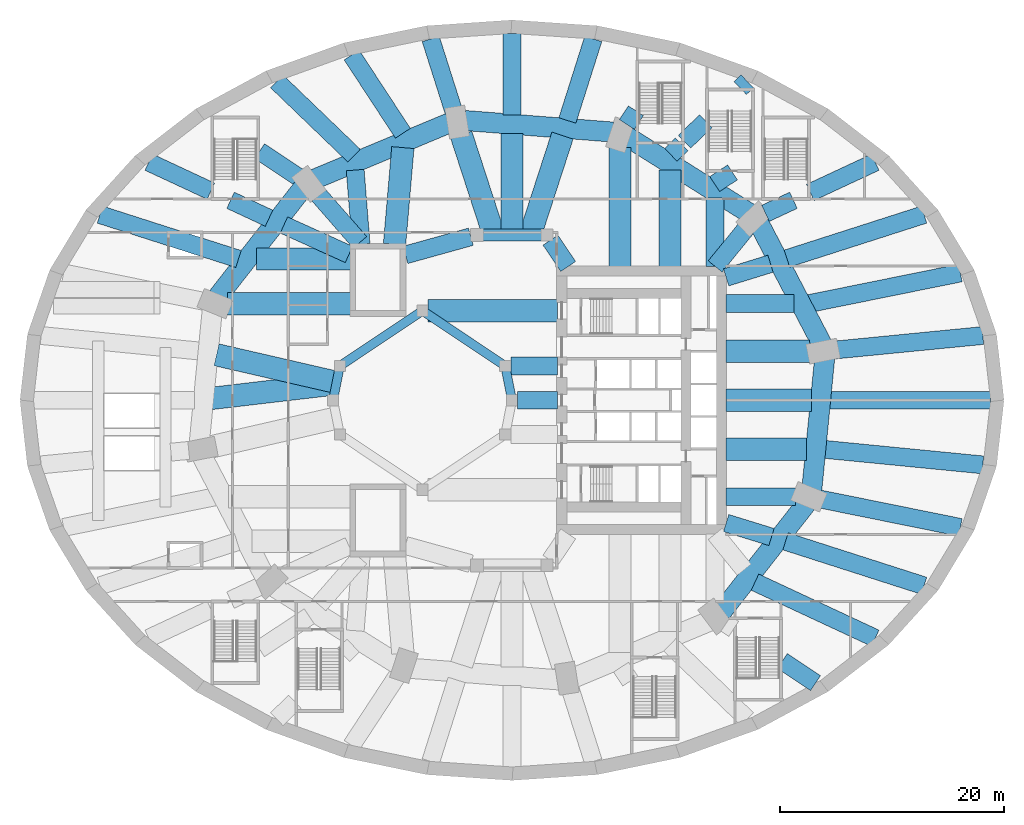
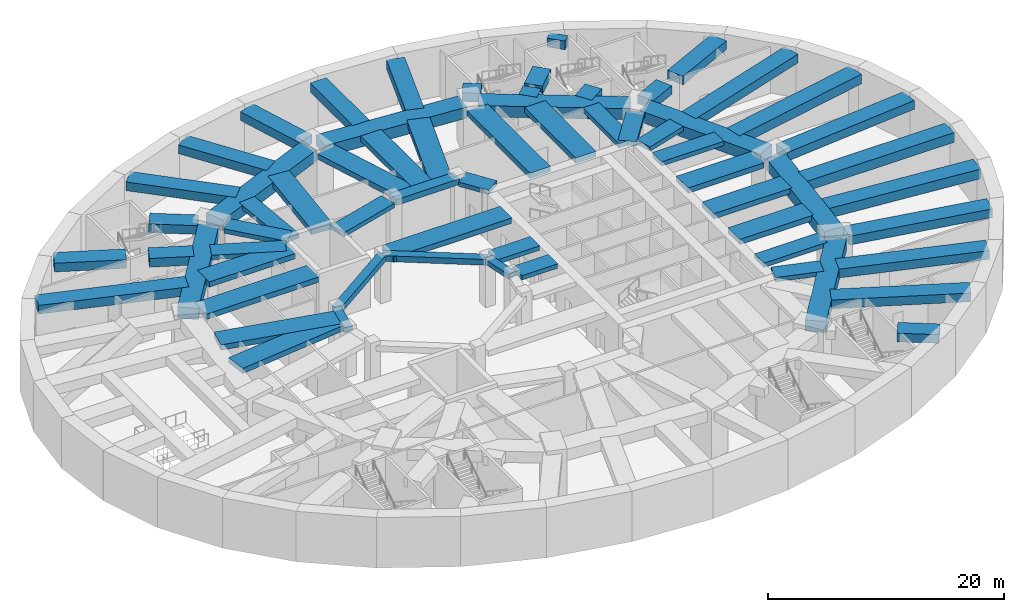
# One storey, part 2 of 14: 64 beams.
"""IFC4 building model written with IfcOpenShell, lengths in metres."""

from ifc_helpers import new_model, si_unit, direction, frame, origin, origin_2d, place, context, subcontext, project, spatial, rectangle, extrude, material, material_profile, profile_set, type_object, element, save


model = new_model("IFC4")

# Units and contexts
model_context = context("Model", 3, precision=1e-05, world=origin(), true_north=direction((0.0, 1.0)))
body_context = subcontext(model_context, "Body", "Model", "MODEL_VIEW")
ifc_project = project(units=[si_unit("LENGTHUNIT", "METRE"), si_unit("AREAUNIT", "SQUARE_METRE"), si_unit("VOLUMEUNIT", "CUBIC_METRE"), si_unit("PLANEANGLEUNIT", "RADIAN"), si_unit("MASSUNIT", "GRAM", prefix="KILO")], contexts=[model_context])

# Site, building, storey
site_placement = place(None, origin())
site = spatial("IfcSite", under=ifc_project, at=site_placement, CompositionType="ELEMENT")
building_placement = place(site_placement, origin())
building = spatial("IfcBuilding", under=site, at=building_placement, Name="Taillehof Tower", CompositionType="ELEMENT")
storey_placement = place(building_placement, frame((0.0, 0.0, -5.199951171875)))
storey = spatial("IfcBuildingStorey", under=building, at=storey_placement, Name="B1", CompositionType="ELEMENT", Elevation=-5.199951171875)

# Beams
ifc_material_1 = material(Name="Concrete C50/60", Category="concrete")
ifc_material_profile_1 = material_profile(ifc_material_1, rectangle(XDim=0.800048828125, YDim=0.5, at=origin_2d()), Name="RC 800x500")
ifc_profile_set_1 = profile_set([ifc_material_profile_1], Name="Concrete C50/60")
beam_type_1 = type_object("IfcBeamType", Name="Atrium ring beam C50/60 800x500", PredefinedType="BEAM", material=ifc_profile_set_1)
for number, where, z_axis, x_axis, name in (
    (1, (0.0, 0.0, 4.5400390625), (-0.195063155143, 0.980790683839, 0.0), (-0.980790683839, -0.195063155143, 0.0), "Atrium ring beam AB01"),
    (2, (-15.39111328125, 3.0615234375, 4.5400390625), (-0.195063155143, -0.980790683839, 0.0), (0.980790683839, -0.195063155143, 0.0), "Atrium ring beam AB04"),
):
    element("IfcBeam", number, at=place(storey_placement, frame(where, z_axis=z_axis, x_axis=x_axis)), inside=storey, type_object=beam_type_1, Name=name, PredefinedType="BEAM", context=body_context, shape_type="SweptSolid", body=[
        extrude(rectangle(XDim=0.800048828125, YDim=0.5, at=origin_2d()), origin(), (0.0, 0.0, 1.0), 3.12158203125),
    ])
ifc_material_2 = material(Name="Concrete C50/60", Category="concrete")
ifc_material_profile_2 = material_profile(ifc_material_2, rectangle(XDim=0.800048828125, YDim=0.60009765625, at=origin_2d()), Name="RC 800x600")
ifc_profile_set_2 = profile_set([ifc_material_profile_2], Name="Concrete C50/60")
beam_type_2 = type_object("IfcBeamType", Name="Atrium ring beam C50/60 800x600", PredefinedType="BEAM", material=ifc_profile_set_2)
for number, where, z_axis, x_axis, name in (
    (3, (-0.60888671875, 3.0615234375, 4.489990234375), (-0.831475195687, 0.555561876804, 0.0), (-0.555561876804, -0.831475195687, 0.0), "Atrium ring beam AB02"),
    (4, (-8.0, 8.0, 4.489990234375), (-0.831475195687, -0.555561876804, 0.0), (0.555561876804, -0.831475195687, 0.0), "Atrium ring beam AB03"),
):
    element("IfcBeam", number, at=place(storey_placement, frame(where, z_axis=z_axis, x_axis=x_axis)), inside=storey, type_object=beam_type_2, Name=name, PredefinedType="BEAM", context=body_context, shape_type="SweptSolid", body=[
        extrude(rectangle(XDim=0.800048828125, YDim=0.60009765625, at=origin_2d()), origin(), (0.0, 0.0, 1.0), 8.88916015625),
    ])
ifc_material_3 = material(Name="Concrete C50/60", Category="concrete")
ifc_material_profile_3 = material_profile(ifc_material_3, rectangle(XDim=1.10009765625, YDim=0.60009765625, at=origin_2d()), Name="RC 1100x600")
ifc_profile_set_3 = profile_set([ifc_material_profile_3], Name="Concrete C50/60")
beam_type_3 = type_object("IfcBeamType", Name="Mid-ring beam C50/60 1100x600", PredefinedType="BEAM", material=ifc_profile_set_3)
beam_1_placement = place(storey_placement, frame((3.125732421875, 14.772216796875, 4.489990234375), z_axis=(-1.0, 0.0, 0.0), x_axis=(0.0, -1.0, 0.0)))
element("IfcBeam", 5, at=beam_1_placement, inside=storey, type_object=beam_type_3, Name="Mid-ring beam MB01", PredefinedType="BEAM", context=body_context, shape_type="SweptSolid", body=[
    extrude(rectangle(XDim=1.10009765625, YDim=0.60009765625, at=origin_2d()), origin(), (0.0, 0.0, 1.0), 6.25146484375),
])
ifc_material_4 = material(Name="Concrete C50/60", Category="concrete")
ifc_material_profile_4 = material_profile(ifc_material_4, rectangle(XDim=1.60009765625, YDim=1.0, at=origin_2d()), Name="RC 1600x1000")
ifc_profile_set_4 = profile_set([ifc_material_profile_4], Name="Concrete C50/60")
beam_type_4 = type_object("IfcBeamType", Name="Podium radial beam C50/60 1600x1000", PredefinedType="BEAM", material=ifc_profile_set_4)
beam_2_placement = place(storey_placement, frame((42.792236328125, 0.0, 4.2900390625), z_axis=(-1.0, 0.0, 0.0), x_axis=(0.0, -1.0, 0.0)))
element("IfcBeam", 6, at=beam_2_placement, inside=storey, type_object=beam_type_4, Name="Podium radial beam PR01", PredefinedType="BEAM", context=body_context, shape_type="SweptSolid", body=[
    extrude(rectangle(XDim=1.60009765625, YDim=1.0, at=origin_2d()), origin(), (0.0, 0.0, 1.0), 14.37939453125),
])
beam_3_placement = place(storey_placement, frame((40.097412109375, 11.376220703125, 4.2900390625), z_axis=(-0.980159529248, -0.198210234914, 0.0), x_axis=(0.198210234914, -0.980159529248, 0.0)))
element("IfcBeam", 7, at=beam_3_placement, inside=storey, type_object=beam_type_4, Name="Podium radial beam PR03", PredefinedType="BEAM", context=body_context, shape_type="SweptSolid", body=[
    extrude(rectangle(XDim=1.60009765625, YDim=1.0, at=origin_2d()), origin(), (0.0, 0.0, 1.0), 13.785400390625),
])
beam_4_placement = place(storey_placement, frame((42.103271484375, -5.78369140625, 4.2900390625), z_axis=(-0.995235968707, 0.097495469601, 0.0), x_axis=(-0.097495469601, -0.995235968707, 0.0)))
element("IfcBeam", 8, at=beam_4_placement, inside=storey, type_object=beam_type_4, Name="Podium radial beam PR36", PredefinedType="BEAM", context=body_context, shape_type="SweptSolid", body=[
    extrude(rectangle(XDim=1.60009765625, YDim=1.0, at=origin_2d()), origin(), (0.0, 0.0, 1.0), 14.108154296875),
])
ifc_material_5 = material(Name="Concrete C50/60", Category="concrete")
ifc_material_profile_5 = material_profile(ifc_material_5, rectangle(XDim=1.60009765625, YDim=0.89990234375, at=origin_2d()), Name="RC 1600x900")
ifc_profile_set_5 = profile_set([ifc_material_profile_5], Name="Concrete C50/60")
beam_type_5 = type_object("IfcBeamType", Name="Podium radial beam C50/60 1600x900", PredefinedType="BEAM", material=ifc_profile_set_5)
beam_5_placement = place(storey_placement, frame((42.103271484375, 5.78369140625, 4.33984375), z_axis=(-0.995236796201, -0.097487022149, 0.0), x_axis=(0.097487022149, -0.995236796201, 0.0)))
element("IfcBeam", 9, at=beam_5_placement, inside=storey, type_object=beam_type_5, Name="Podium radial beam PR02", PredefinedType="BEAM", context=body_context, shape_type="SweptSolid", body=[
    extrude(rectangle(XDim=1.60009765625, YDim=0.89990234375, at=origin_2d()), origin(), (0.0, 0.0, 1.0), 13.258056640625),
])
beam_6_placement = place(storey_placement, frame((36.850341796875, 16.59765625, 4.33984375), z_axis=(-0.952213964382, -0.305431769852, 0.0), x_axis=(0.305431769852, -0.952213964382, 0.0)))
element("IfcBeam", 10, at=beam_6_placement, inside=storey, type_object=beam_type_5, Name="Podium radial beam PR04", PredefinedType="BEAM", context=body_context, shape_type="SweptSolid", body=[
    extrude(rectangle(XDim=1.60009765625, YDim=0.89990234375, at=origin_2d()), origin(), (0.0, 0.0, 1.0), 12.88037109375),
])
beam_7_placement = place(storey_placement, frame((32.48193359375, 21.2841796875, 4.33984375), z_axis=(-0.906353431293, -0.422520363514, 0.0), x_axis=(0.422520363514, -0.906353431293, 0.0)))
element("IfcBeam", 11, at=beam_7_placement, inside=storey, type_object=beam_type_5, Name="Podium radial beam PR05", PredefinedType="BEAM", context=body_context, shape_type="SweptSolid", body=[
    extrude(rectangle(XDim=1.60009765625, YDim=0.89990234375, at=origin_2d()), origin(), (0.0, 0.0, 1.0), 6.406982421875),
])
beam_8_placement = place(storey_placement, frame((25.168701171875, 17.875, 4.33984375), z_axis=(-0.906343651761, -0.422541341068, 0.0), x_axis=(0.422541341068, -0.906343651761, 0.0)))
element("IfcBeam", 12, at=beam_8_placement, inside=storey, type_object=beam_type_5, Name="Podium radial beam PR05", PredefinedType="BEAM", context=body_context, shape_type="SweptSolid", body=[
    extrude(rectangle(XDim=1.60009765625, YDim=0.89990234375, at=origin_2d()), origin(), (0.0, 0.0, 1.0), 2.7578125),
])
beam_9_placement = place(storey_placement, frame((19.718017578125, 20.375, 4.33984375), z_axis=(-0.833806046122, -0.552057494696, 0.0), x_axis=(0.552057494696, -0.833806046122, 0.0)))
element("IfcBeam", 13, at=beam_9_placement, inside=storey, type_object=beam_type_5, Name="Podium radial beam PR06", PredefinedType="BEAM", context=body_context, shape_type="SweptSolid", body=[
    extrude(rectangle(XDim=1.60009765625, YDim=0.89990234375, at=origin_2d()), origin(), (0.0, 0.0, 1.0), 1.8994140625),
])
beam_10_placement = place(storey_placement, frame((21.03564453125, 28.516845703125, 4.33984375), z_axis=(-0.720616833672, -0.693333526543, 0.0), x_axis=(0.693333526543, -0.720616833672, 0.0)))
element("IfcBeam", 14, at=beam_10_placement, inside=storey, type_object=beam_type_5, Name="Podium radial beam PR07", PredefinedType="BEAM", context=body_context, shape_type="SweptSolid", body=[
    extrude(rectangle(XDim=1.60009765625, YDim=0.89990234375, at=origin_2d()), origin(), (0.0, 0.0, 1.0), 0.867919921875),
])
beam_11_placement = place(storey_placement, frame((17.324951171875, 24.9462890625, 4.33984375), z_axis=(-0.72058747117, -0.693364043192, 0.0), x_axis=(0.693364043192, -0.72058747117, 0.0)))
element("IfcBeam", 15, at=beam_11_placement, inside=storey, type_object=beam_type_5, Name="Podium radial beam PR07", PredefinedType="BEAM", context=body_context, shape_type="SweptSolid", body=[
    extrude(rectangle(XDim=1.60009765625, YDim=0.89990234375, at=origin_2d()), origin(), (0.0, 0.0, 1.0), 2.63671875),
])
beam_12_placement = place(storey_placement, frame((15.17236328125, 22.875, 4.33984375), z_axis=(-0.720552861663, -0.69340000977, 0.0), x_axis=(0.69340000977, -0.720552861663, 0.0)))
element("IfcBeam", 16, at=beam_12_placement, inside=storey, type_object=beam_type_5, Name="Podium radial beam PR07", PredefinedType="BEAM", context=body_context, shape_type="SweptSolid", body=[
    extrude(rectangle(XDim=1.60009765625, YDim=0.89990234375, at=origin_2d()), origin(), (0.0, 0.0, 1.0), 1.339599609375),
])
beam_13_placement = place(storey_placement, frame((11.074951171875, 25.8837890625, 4.33984375), z_axis=(-0.547998143766, -0.836479548124, 0.0), x_axis=(0.836479548124, -0.547998143766, 0.0)))
element("IfcBeam", 17, at=beam_13_placement, inside=storey, type_object=beam_type_5, Name="Podium radial beam PR08", PredefinedType="BEAM", context=body_context, shape_type="SweptSolid", body=[
    extrude(rectangle(XDim=1.60009765625, YDim=0.89990234375, at=origin_2d()), origin(), (0.0, 0.0, 1.0), 1.466552734375),
])
beam_14_placement = place(storey_placement, frame((7.266845703125, 32.305908203125, 4.33984375), z_axis=(-0.302511936642, -0.953145596532, 0.0), x_axis=(0.953145596532, -0.302511936642, 0.0)))
element("IfcBeam", 18, at=beam_14_placement, inside=storey, type_object=beam_type_5, Name="Podium radial beam PR09", PredefinedType="BEAM", context=body_context, shape_type="SweptSolid", body=[
    extrude(rectangle(XDim=1.60009765625, YDim=0.89990234375, at=origin_2d()), origin(), (0.0, 0.0, 1.0), 7.649169921875),
])
beam_15_placement = place(storey_placement, frame((0.0, 32.79736328125, 4.33984375), z_axis=(0.0, -1.0, 0.0), x_axis=(1.0, 0.0, 0.0)))
element("IfcBeam", 19, at=beam_15_placement, inside=storey, type_object=beam_type_5, Name="Podium radial beam PR10", PredefinedType="BEAM", context=body_context, shape_type="SweptSolid", body=[
    extrude(rectangle(XDim=1.60009765625, YDim=0.89990234375, at=origin_2d()), origin(), (0.0, 0.0, 1.0), 7.275634765625),
])
beam_16_placement = place(storey_placement, frame((-7.266845703125, 32.305908203125, 4.33984375), z_axis=(0.302540157535, -0.953136639249, 0.0), x_axis=(0.953136639249, 0.302540157535, 0.0)))
element("IfcBeam", 20, at=beam_16_placement, inside=storey, type_object=beam_type_5, Name="Podium radial beam PR11", PredefinedType="BEAM", context=body_context, shape_type="SweptSolid", body=[
    extrude(rectangle(XDim=1.60009765625, YDim=0.89990234375, at=origin_2d()), origin(), (0.0, 0.0, 1.0), 6.7744140625),
])
beam_17_placement = place(storey_placement, frame((-14.342041015625, 30.870361328125, 4.33984375), z_axis=(0.5480227373, -0.836463435783, 0.0), x_axis=(0.836463435783, 0.5480227373, 0.0)))
element("IfcBeam", 21, at=beam_17_placement, inside=storey, type_object=beam_type_5, Name="Podium radial beam PR12", PredefinedType="BEAM", context=body_context, shape_type="SweptSolid", body=[
    extrude(rectangle(XDim=1.60009765625, YDim=0.89990234375, at=origin_2d()), origin(), (0.0, 0.0, 1.0), 8.36669921875),
])
beam_18_placement = place(storey_placement, frame((-21.03564453125, 28.516845703125, 4.33984375), z_axis=(0.720583518861, -0.693368150657, 0.0), x_axis=(0.693368150657, 0.720583518861, 0.0)))
element("IfcBeam", 22, at=beam_18_placement, inside=storey, type_object=beam_type_5, Name="Podium radial beam PR13", PredefinedType="BEAM", context=body_context, shape_type="SweptSolid", body=[
    extrude(rectangle(XDim=1.60009765625, YDim=0.89990234375, at=origin_2d()), origin(), (0.0, 0.0, 1.0), 9.589599609375),
])
beam_19_placement = place(storey_placement, frame((-22.574951171875, 22.2666015625, 4.33984375), z_axis=(0.833791422348, -0.552079581237, 0.0), x_axis=(0.552079581237, 0.833791422348, 0.0)))
element("IfcBeam", 23, at=beam_19_placement, inside=storey, type_object=beam_type_5, Name="Podium radial beam PR14", PredefinedType="BEAM", context=body_context, shape_type="SweptSolid", body=[
    extrude(rectangle(XDim=1.60009765625, YDim=0.89990234375, at=origin_2d()), origin(), (0.0, 0.0, 1.0), 4.132080078125),
])
beam_20_placement = place(storey_placement, frame((-32.48193359375, 21.2841796875, 4.33984375), z_axis=(0.906347874546, -0.422532283152, 0.0), x_axis=(0.422532283152, 0.906347874546, 0.0)))
element("IfcBeam", 24, at=beam_20_placement, inside=storey, type_object=beam_type_5, Name="Podium radial beam PR15", PredefinedType="BEAM", context=body_context, shape_type="SweptSolid", body=[
    extrude(rectangle(XDim=1.60009765625, YDim=0.89990234375, at=origin_2d()), origin(), (0.0, 0.0, 1.0), 6.131103515625),
])
beam_21_placement = place(storey_placement, frame((-25.168701171875, 17.875, 4.33984375), z_axis=(0.906350679656, -0.422526266032, 0.0), x_axis=(0.422526266032, 0.906350679656, 0.0)))
element("IfcBeam", 25, at=beam_21_placement, inside=storey, type_object=beam_type_5, Name="Podium radial beam PR15", PredefinedType="BEAM", context=body_context, shape_type="SweptSolid", body=[
    extrude(rectangle(XDim=1.60009765625, YDim=0.89990234375, at=origin_2d()), origin(), (0.0, 0.0, 1.0), 3.795654296875),
])
beam_22_placement = place(storey_placement, frame((-36.850341796875, 16.59765625, 4.33984375), z_axis=(0.9522154195, -0.305427233342, 0.0), x_axis=(0.305427233342, 0.9522154195, 0.0)))
element("IfcBeam", 26, at=beam_22_placement, inside=storey, type_object=beam_type_5, Name="Podium radial beam PR16", PredefinedType="BEAM", context=body_context, shape_type="SweptSolid", body=[
    extrude(rectangle(XDim=1.60009765625, YDim=0.89990234375, at=origin_2d()), origin(), (0.0, 0.0, 1.0), 13.010986328125),
])
beam_23_placement = place(storey_placement, frame((27.148681640625, -25.294677734375, 4.33984375), z_axis=(-0.833815431022, 0.552043319849, 0.0), x_axis=(-0.552043319849, -0.833815431022, 0.0)))
element("IfcBeam", 27, at=beam_23_placement, inside=storey, type_object=beam_type_5, Name="Podium radial beam PR32", PredefinedType="BEAM", context=body_context, shape_type="SweptSolid", body=[
    extrude(rectangle(XDim=1.60009765625, YDim=0.89990234375, at=origin_2d()), origin(), (0.0, 0.0, 1.0), 3.56640625),
])
beam_24_placement = place(storey_placement, frame((32.48193359375, -21.2841796875, 4.33984375), z_axis=(-0.906354969557, 0.42251706375, 0.0), x_axis=(-0.42251706375, -0.906354969557, 0.0)))
element("IfcBeam", 28, at=beam_24_placement, inside=storey, type_object=beam_type_5, Name="Podium radial beam PR33", PredefinedType="BEAM", context=body_context, shape_type="SweptSolid", body=[
    extrude(rectangle(XDim=1.60009765625, YDim=0.89990234375, at=origin_2d()), origin(), (0.0, 0.0, 1.0), 11.864501953125),
])
beam_25_placement = place(storey_placement, frame((36.850341796875, -16.59765625, 4.33984375), z_axis=(-0.9522154195, 0.305427233342, 0.0), x_axis=(-0.305427233342, -0.9522154195, 0.0)))
element("IfcBeam", 29, at=beam_25_placement, inside=storey, type_object=beam_type_5, Name="Podium radial beam PR34", PredefinedType="BEAM", context=body_context, shape_type="SweptSolid", body=[
    extrude(rectangle(XDim=1.60009765625, YDim=0.89990234375, at=origin_2d()), origin(), (0.0, 0.0, 1.0), 13.010986328125),
])
beam_26_placement = place(storey_placement, frame((40.097412109375, -11.376220703125, 4.33984375), z_axis=(-0.98016201172, 0.198197958571, 0.0), x_axis=(-0.198197958571, -0.98016201172, 0.0)))
element("IfcBeam", 30, at=beam_26_placement, inside=storey, type_object=beam_type_5, Name="Podium radial beam PR35", PredefinedType="BEAM", context=body_context, shape_type="SweptSolid", body=[
    extrude(rectangle(XDim=1.60009765625, YDim=0.89990234375, at=origin_2d()), origin(), (0.0, 0.0, 1.0), 12.80712890625),
])
ifc_material_6 = material(Name="Concrete C50/60", Category="concrete")
ifc_material_profile_6 = material_profile(ifc_material_6, rectangle(XDim=1.60009765625, YDim=0.449951171875, at=origin_2d()), Name="RC 1600x450")
ifc_profile_set_6 = profile_set([ifc_material_profile_6], Name="Concrete C50/60")
beam_type_6 = type_object("IfcBeamType", Name="Radial band beam C50/60 1600x450", PredefinedType="BEAM", material=ifc_profile_set_6)
beam_27_placement = place(storey_placement, frame((25.234130859375, 8.635986328125, 4.56494140625), z_axis=(-1.0, 0.0, 0.0), x_axis=(0.0, -1.0, 0.0)))
element("IfcBeam", 31, at=beam_27_placement, inside=storey, type_object=beam_type_6, Name="Radial band beam RB03", PredefinedType="BEAM", context=body_context, shape_type="SweptSolid", body=[
    extrude(rectangle(XDim=1.60009765625, YDim=0.449951171875, at=origin_2d()), origin(), (0.0, 0.0, 1.0), 6.084228515625),
])
beam_28_placement = place(storey_placement, frame((23.117919921875, 12.209228515625, 4.56494140625), z_axis=(-0.955533205801, -0.294883523805, 0.0), x_axis=(0.294883523805, -0.955533205801, 0.0)))
element("IfcBeam", 32, at=beam_28_placement, inside=storey, type_object=beam_type_6, Name="Radial band beam RB04", PredefinedType="BEAM", context=body_context, shape_type="SweptSolid", body=[
    extrude(rectangle(XDim=1.60009765625, YDim=0.449951171875, at=origin_2d()), origin(), (0.0, 0.0, 1.0), 4.150390625),
])
beam_29_placement = place(storey_placement, frame((20.943115234375, 15.37255859375, 4.56494140625), z_axis=(-0.630991767535, -0.77578952642, 0.0), x_axis=(0.77578952642, -0.630991767535, 0.0)))
element("IfcBeam", 33, at=beam_29_placement, inside=storey, type_object=beam_type_6, Name="Radial band beam RB05", PredefinedType="BEAM", context=body_context, shape_type="SweptSolid", body=[
    extrude(rectangle(XDim=1.60009765625, YDim=0.449951171875, at=origin_2d()), origin(), (0.0, 0.0, 1.0), 4.397216796875),
])
beam_30_placement = place(storey_placement, frame((18.15869140625, 18.08740234375, 4.56494140625), z_axis=(0.0, -1.0, 0.0), x_axis=(1.0, 0.0, 0.0)))
element("IfcBeam", 34, at=beam_30_placement, inside=storey, type_object=beam_type_6, Name="Radial band beam RB06", PredefinedType="BEAM", context=body_context, shape_type="SweptSolid", body=[
    extrude(rectangle(XDim=1.60009765625, YDim=0.449951171875, at=origin_2d()), origin(), (0.0, 0.0, 1.0), 6.137451171875),
])
beam_31_placement = place(storey_placement, frame((-14.022705078125, 20.580810546875, 4.56494140625), z_axis=(0.079171881643, -0.996860979855, 0.0), x_axis=(0.996860979855, 0.079171881643, 0.0)))
element("IfcBeam", 35, at=beam_31_placement, inside=storey, type_object=beam_type_6, Name="Radial band beam RB13", PredefinedType="BEAM", context=body_context, shape_type="SweptSolid", body=[
    extrude(rectangle(XDim=1.60009765625, YDim=0.449951171875, at=origin_2d()), origin(), (0.0, 0.0, 1.0), 6.651611328125),
])
beam_32_placement = place(storey_placement, frame((-17.275146484375, 18.329345703125, 4.56494140625), z_axis=(0.657212129722, -0.753705656438, 0.0), x_axis=(0.753705656438, 0.657212129722, 0.0)))
element("IfcBeam", 36, at=beam_32_placement, inside=storey, type_object=beam_type_6, Name="Radial band beam RB14", PredefinedType="BEAM", context=body_context, shape_type="SweptSolid", body=[
    extrude(rectangle(XDim=1.60009765625, YDim=0.449951171875, at=origin_2d()), origin(), (0.0, 0.0, 1.0), 5.593994140625),
])
beam_33_placement = place(storey_placement, frame((-20.395263671875, 15.6669921875, 4.56494140625), z_axis=(0.911103818844, -0.412176941724, 0.0), x_axis=(0.412176941724, 0.911103818844, 0.0)))
element("IfcBeam", 37, at=beam_33_placement, inside=storey, type_object=beam_type_6, Name="Radial band beam RB15", PredefinedType="BEAM", context=body_context, shape_type="SweptSolid", body=[
    extrude(rectangle(XDim=1.60009765625, YDim=0.449951171875, at=origin_2d()), origin(), (0.0, 0.0, 1.0), 6.3828125),
])
beam_34_placement = place(storey_placement, frame((23.20556640625, -12.236328125, 4.56494140625), z_axis=(-0.955529794547, 0.294894577321, 0.0), x_axis=(-0.294894577321, -0.955529794547, 0.0)))
element("IfcBeam", 38, at=beam_34_placement, inside=storey, type_object=beam_type_6, Name="Radial band beam RB34", PredefinedType="BEAM", context=body_context, shape_type="SweptSolid", body=[
    extrude(rectangle(XDim=1.60009765625, YDim=0.449951171875, at=origin_2d()), origin(), (0.0, 0.0, 1.0), 4.2421875),
])
beam_35_placement = place(storey_placement, frame((25.362060546875, -8.635986328125, 4.56494140625), z_axis=(-1.0, 0.0, 0.0), x_axis=(0.0, -1.0, 0.0)))
element("IfcBeam", 39, at=beam_35_placement, inside=storey, type_object=beam_type_6, Name="Radial band beam RB35", PredefinedType="BEAM", context=body_context, shape_type="SweptSolid", body=[
    extrude(rectangle(XDim=1.60009765625, YDim=0.449951171875, at=origin_2d()), origin(), (0.0, 0.0, 1.0), 6.212158203125),
])
beam_36_placement = place(storey_placement, frame((0.5, 0.0, 4.56494140625), z_axis=(1.0, 0.0, 0.0), x_axis=(0.0, 1.0, 0.0)))
element("IfcBeam", 40, at=beam_36_placement, inside=storey, type_object=beam_type_6, Name="Inner band beam IB101", PredefinedType="BEAM", context=body_context, shape_type="SweptSolid", body=[
    extrude(rectangle(XDim=1.60009765625, YDim=0.449951171875, at=origin_2d()), origin(), (0.0, 0.0, 1.0), 3.550048828125),
])
beam_37_placement = place(storey_placement, frame((-0.10888671875, 3.0615234375, 4.56494140625), z_axis=(1.0, 0.0, 0.0), x_axis=(0.0, 1.0, 0.0)))
element("IfcBeam", 41, at=beam_37_placement, inside=storey, type_object=beam_type_6, Name="Inner band beam IB102", PredefinedType="BEAM", context=body_context, shape_type="SweptSolid", body=[
    extrude(rectangle(XDim=1.60009765625, YDim=0.449951171875, at=origin_2d()), origin(), (0.0, 0.0, 1.0), 4.158935546875),
])
beam_38_placement = place(storey_placement, frame((3.433837890625, 14.31640625, 4.56494140625), z_axis=(0.560112043398, -0.828416862962, 0.0), x_axis=(0.828416862962, 0.560112043398, 0.0)))
element("IfcBeam", 42, at=beam_38_placement, inside=storey, type_object=beam_type_6, Name="Inner band beam IB205", PredefinedType="BEAM", context=body_context, shape_type="SweptSolid", body=[
    extrude(rectangle(XDim=1.60009765625, YDim=0.449951171875, at=origin_2d()), origin(), (0.0, 0.0, 1.0), 2.84619140625),
])
beam_39_placement = place(storey_placement, frame((-3.6796875, 14.6181640625, 4.56494140625), z_axis=(-0.963453939049, -0.267874051248, 0.0), x_axis=(0.267874051248, -0.963453939049, 0.0)))
element("IfcBeam", 43, at=beam_39_placement, inside=storey, type_object=beam_type_6, Name="Inner band beam IB206", PredefinedType="BEAM", context=body_context, shape_type="SweptSolid", body=[
    extrude(rectangle(XDim=1.60009765625, YDim=0.449951171875, at=origin_2d()), origin(), (0.0, 0.0, 1.0), 6.07177734375),
])
ifc_material_7 = material(Name="Concrete C50/60", Category="concrete")
ifc_material_profile_7 = material_profile(ifc_material_7, rectangle(XDim=2.0, YDim=0.550048828125, at=origin_2d()), Name="RC 2000x550")
ifc_profile_set_7 = profile_set([ifc_material_profile_7], Name="Concrete C50/60")
beam_type_7 = type_object("IfcBeamType", Name="Radial band beam C50/60 2000x550", PredefinedType="BEAM", material=ifc_profile_set_7)
beam_40_placement = place(storey_placement, frame((26.787841796875, 0.0, 4.514892578125), z_axis=(-1.0, 0.0, 0.0), x_axis=(0.0, -1.0, 0.0)))
element("IfcBeam", 44, at=beam_40_placement, inside=storey, type_object=beam_type_7, Name="Radial band beam RB01", PredefinedType="BEAM", context=body_context, shape_type="SweptSolid", body=[
    extrude(rectangle(XDim=2.0, YDim=0.550048828125, at=origin_2d()), origin(), (0.0, 0.0, 1.0), 7.637939453125),
])
beam_41_placement = place(storey_placement, frame((26.592529296875, 4.384521484375, 4.514892578125), z_axis=(-1.0, 0.0, 0.0), x_axis=(0.0, -1.0, 0.0)))
element("IfcBeam", 45, at=beam_41_placement, inside=storey, type_object=beam_type_7, Name="Radial band beam RB02", PredefinedType="BEAM", context=body_context, shape_type="SweptSolid", body=[
    extrude(rectangle(XDim=2.0, YDim=0.550048828125, at=origin_2d()), origin(), (0.0, 0.0, 1.0), 7.442626953125),
])
beam_42_placement = place(storey_placement, frame((14.125, 20.59375, 4.514892578125), z_axis=(0.0, -1.0, 0.0), x_axis=(1.0, 0.0, 0.0)))
element("IfcBeam", 46, at=beam_42_placement, inside=storey, type_object=beam_type_7, Name="Radial band beam RB07", PredefinedType="BEAM", context=body_context, shape_type="SweptSolid", body=[
    extrude(rectangle(XDim=2.0, YDim=0.550048828125, at=origin_2d()), origin(), (0.0, 0.0, 1.0), 8.643798828125),
])
beam_43_placement = place(storey_placement, frame((9.662109375, 22.582763671875, 4.514892578125), z_axis=(0.0, -1.0, 0.0), x_axis=(1.0, 0.0, 0.0)))
element("IfcBeam", 47, at=beam_43_placement, inside=storey, type_object=beam_type_7, Name="Radial band beam RB08", PredefinedType="BEAM", context=body_context, shape_type="SweptSolid", body=[
    extrude(rectangle(XDim=2.0, YDim=0.550048828125, at=origin_2d()), origin(), (0.0, 0.0, 1.0), 10.6328125),
])
beam_44_placement = place(storey_placement, frame((4.515380859375, 23.665771484375, 4.514892578125), z_axis=(-0.309012868999, -0.951057856701, 0.0), x_axis=(0.951057856701, -0.309012868999, 0.0)))
element("IfcBeam", 48, at=beam_44_placement, inside=storey, type_object=beam_type_7, Name="Radial band beam RB09", PredefinedType="BEAM", context=body_context, shape_type="SweptSolid", body=[
    extrude(rectangle(XDim=2.0, YDim=0.550048828125, at=origin_2d()), origin(), (0.0, 0.0, 1.0), 9.351318359375),
])
beam_45_placement = place(storey_placement, frame((0.0, 23.864501953125, 4.514892578125), z_axis=(0.0, -1.0, 0.0), x_axis=(1.0, 0.0, 0.0)))
element("IfcBeam", 49, at=beam_45_placement, inside=storey, type_object=beam_type_7, Name="Radial band beam RB10", PredefinedType="BEAM", context=body_context, shape_type="SweptSolid", body=[
    extrude(rectangle(XDim=2.0, YDim=0.550048828125, at=origin_2d()), origin(), (0.0, 0.0, 1.0), 9.09228515625),
])
beam_46_placement = place(storey_placement, frame((-4.5439453125, 23.75341796875, 4.514892578125), z_axis=(0.309021183307, -0.951055155218, 0.0), x_axis=(0.951055155218, 0.309021183307, 0.0)))
element("IfcBeam", 50, at=beam_46_placement, inside=storey, type_object=beam_type_7, Name="Radial band beam RB11", PredefinedType="BEAM", context=body_context, shape_type="SweptSolid", body=[
    extrude(rectangle(XDim=2.0, YDim=0.550048828125, at=origin_2d()), origin(), (0.0, 0.0, 1.0), 9.443359375),
])
beam_47_placement = place(storey_placement, frame((-9.760009765625, 22.590576171875, 4.514892578125), z_axis=(-0.085833899747, -0.996309460787, 0.0), x_axis=(0.996309460787, -0.085833899747, 0.0)))
element("IfcBeam", 51, at=beam_47_placement, inside=storey, type_object=beam_type_7, Name="Radial band beam RB12", PredefinedType="BEAM", context=body_context, shape_type="SweptSolid", body=[
    extrude(rectangle(XDim=2.0, YDim=0.550048828125, at=origin_2d()), origin(), (0.0, 0.0, 1.0), 8.67236328125),
])
beam_48_placement = place(storey_placement, frame((-22.861328125, 12.625, 4.514892578125), z_axis=(1.0, 0.0, 0.0), x_axis=(0.0, 1.0, 0.0)))
element("IfcBeam", 52, at=beam_48_placement, inside=storey, type_object=beam_type_7, Name="Radial band beam RB16", PredefinedType="BEAM", context=body_context, shape_type="SweptSolid", body=[
    extrude(rectangle(XDim=2.0, YDim=0.550048828125, at=origin_2d()), origin(), (0.0, 0.0, 1.0), 8.411376953125),
])
beam_49_placement = place(storey_placement, frame((-25.444091796875, 8.635986328125, 4.514892578125), z_axis=(1.0, 0.0, 0.0), x_axis=(0.0, 1.0, 0.0)))
element("IfcBeam", 53, at=beam_49_placement, inside=storey, type_object=beam_type_7, Name="Radial band beam RB17", PredefinedType="BEAM", context=body_context, shape_type="SweptSolid", body=[
    extrude(rectangle(XDim=2.0, YDim=0.550048828125, at=origin_2d()), origin(), (0.0, 0.0, 1.0), 10.994140625),
])
beam_50_placement = place(storey_placement, frame((-26.423828125, 4.06298828125, 4.514892578125), z_axis=(0.97450754924, -0.224354711282, 0.0), x_axis=(0.224354711282, 0.97450754924, 0.0)))
element("IfcBeam", 54, at=beam_50_placement, inside=storey, type_object=beam_type_7, Name="Radial band beam RB18", PredefinedType="BEAM", context=body_context, shape_type="SweptSolid", body=[
    extrude(rectangle(XDim=2.0, YDim=0.550048828125, at=origin_2d()), origin(), (0.0, 0.0, 1.0), 11.021240234375),
])
beam_51_placement = place(storey_placement, frame((-26.890625, 0.159423828125, 4.514892578125), z_axis=(0.993190949088, 0.116497805345, 0.0), x_axis=(-0.116497805345, 0.993190949088, 0.0)))
element("IfcBeam", 55, at=beam_51_placement, inside=storey, type_object=beam_type_7, Name="Radial band beam RB19", PredefinedType="BEAM", context=body_context, shape_type="SweptSolid", body=[
    extrude(rectangle(XDim=2.0, YDim=0.550048828125, at=origin_2d()), origin(), (0.0, 0.0, 1.0), 11.260009765625),
])
beam_52_placement = place(storey_placement, frame((26.358642578125, -4.384521484375, 4.514892578125), z_axis=(-1.0, 0.0, 0.0), x_axis=(0.0, -1.0, 0.0)))
element("IfcBeam", 56, at=beam_52_placement, inside=storey, type_object=beam_type_7, Name="Radial band beam RB36", PredefinedType="BEAM", context=body_context, shape_type="SweptSolid", body=[
    extrude(rectangle(XDim=2.0, YDim=0.550048828125, at=origin_2d()), origin(), (0.0, 0.0, 1.0), 7.208740234375),
])
beam_53_placement = place(storey_placement, frame((-7.5, 8.0, 4.514892578125), z_axis=(1.0, 0.0, 0.0), x_axis=(0.0, 1.0, 0.0)))
element("IfcBeam", 57, at=beam_53_placement, inside=storey, type_object=beam_type_7, Name="Inner band beam IB105", PredefinedType="BEAM", context=body_context, shape_type="SweptSolid", body=[
    extrude(rectangle(XDim=2.0, YDim=0.550048828125, at=origin_2d()), origin(), (0.0, 0.0, 1.0), 11.550048828125),
])
ifc_material_8 = material(Name="Concrete C50/60", Category="concrete")
ifc_material_profile_8 = material_profile(ifc_material_8, rectangle(XDim=1.800048828125, YDim=1.14990234375, at=origin_2d()), Name="RC 1800x1150")
ifc_profile_set_8 = profile_set([ifc_material_profile_8], Name="Concrete C50/60")
beam_type_8 = type_object("IfcBeamType", Name="Ring floor beam C50/60 1800x1150", PredefinedType="BEAM", material=ifc_profile_set_8)
beam_54_placement = place(storey_placement, frame((27.716552734375, 5.01708984375, 4.21484375), z_axis=(-0.462558439378, 0.88658879429, 0.0), x_axis=(-0.88658879429, -0.462558439378, 0.0)))
element("IfcBeam", 58, at=beam_54_placement, inside=storey, type_object=beam_type_8, Name="Ring floor beam RG01", PredefinedType="BEAM", context=body_context, shape_type="SweptSolid", body=[
    extrude(rectangle(XDim=1.800048828125, YDim=1.14990234375, at=origin_2d()), origin(), (0.0, 0.0, 1.0), 12.12841796875),
])
beam_55_placement = place(storey_placement, frame((21.207275390625, 16.737548828125, 4.21484375), z_axis=(-0.847670289151, 0.530523402774, 0.0), x_axis=(-0.530523402774, -0.847670289151, 0.0)))
element("IfcBeam", 59, at=beam_55_placement, inside=storey, type_object=beam_type_8, Name="Ring floor beam RG02", PredefinedType="BEAM", context=body_context, shape_type="SweptSolid", body=[
    extrude(rectangle(XDim=1.800048828125, YDim=1.14990234375, at=origin_2d()), origin(), (0.0, 0.0, 1.0), 12.843505859375),
])
beam_56_placement = place(storey_placement, frame((9.024169921875, 23.977783203125, 4.21484375), z_axis=(-0.996957372869, 0.0779486798, 0.0), x_axis=(-0.0779486798, -0.996957372869, 0.0)))
element("IfcBeam", 60, at=beam_56_placement, inside=storey, type_object=beam_type_8, Name="Ring floor beam RG03", PredefinedType="BEAM", context=body_context, shape_type="SweptSolid", body=[
    extrude(rectangle(XDim=1.800048828125, YDim=1.14990234375, at=origin_2d()), origin(), (0.0, 0.0, 1.0), 13.298828125),
])
beam_57_placement = place(storey_placement, frame((-5.588134765625, 24.798583984375, 4.21484375), z_axis=(-0.923036542488, -0.384712283703, 0.0), x_axis=(0.384712283703, -0.923036542488, 0.0)))
element("IfcBeam", 61, at=beam_57_placement, inside=storey, type_object=beam_type_8, Name="Ring floor beam RG04", PredefinedType="BEAM", context=body_context, shape_type="SweptSolid", body=[
    extrude(rectangle(XDim=1.800048828125, YDim=1.14990234375, at=origin_2d()), origin(), (0.0, 0.0, 1.0), 13.0595703125),
])
for number, where, z_axis, x_axis, name in (
    (62, (-18.706787109375, 18.96728515625, 4.21484375), (-0.616695661832, -0.787201664555, 0.0), (0.787201664555, -0.616695661832, 0.0), "Ring floor beam RG05"),
    (63, (18.706787109375, -18.96728515625, 4.21484375), (0.616695661832, 0.787201664555, 0.0), (-0.787201664555, 0.616695661832, 0.0), "Ring floor beam RG11"),
):
    element("IfcBeam", number, at=place(storey_placement, frame(where, z_axis=z_axis, x_axis=x_axis)), inside=storey, type_object=beam_type_8, Name=name, PredefinedType="BEAM", context=body_context, shape_type="SweptSolid", body=[
        extrude(rectangle(XDim=1.800048828125, YDim=1.14990234375, at=origin_2d()), origin(), (0.0, 0.0, 1.0), 12.351318359375),
    ])
beam_58_placement = place(storey_placement, frame((26.804931640625, -8.048095703125, 4.21484375), z_axis=(0.097401633185, 0.995245156659, 0.0), x_axis=(-0.995245156659, 0.097401633185, 0.0)))
element("IfcBeam", 64, at=beam_58_placement, inside=storey, type_object=beam_type_8, Name="Ring floor beam RG12", PredefinedType="BEAM", context=body_context, shape_type="SweptSolid", body=[
    extrude(rectangle(XDim=1.800048828125, YDim=1.14990234375, at=origin_2d()), origin(), (0.0, 0.0, 1.0), 11.868408203125),
])

save(model, "model.ifc")
